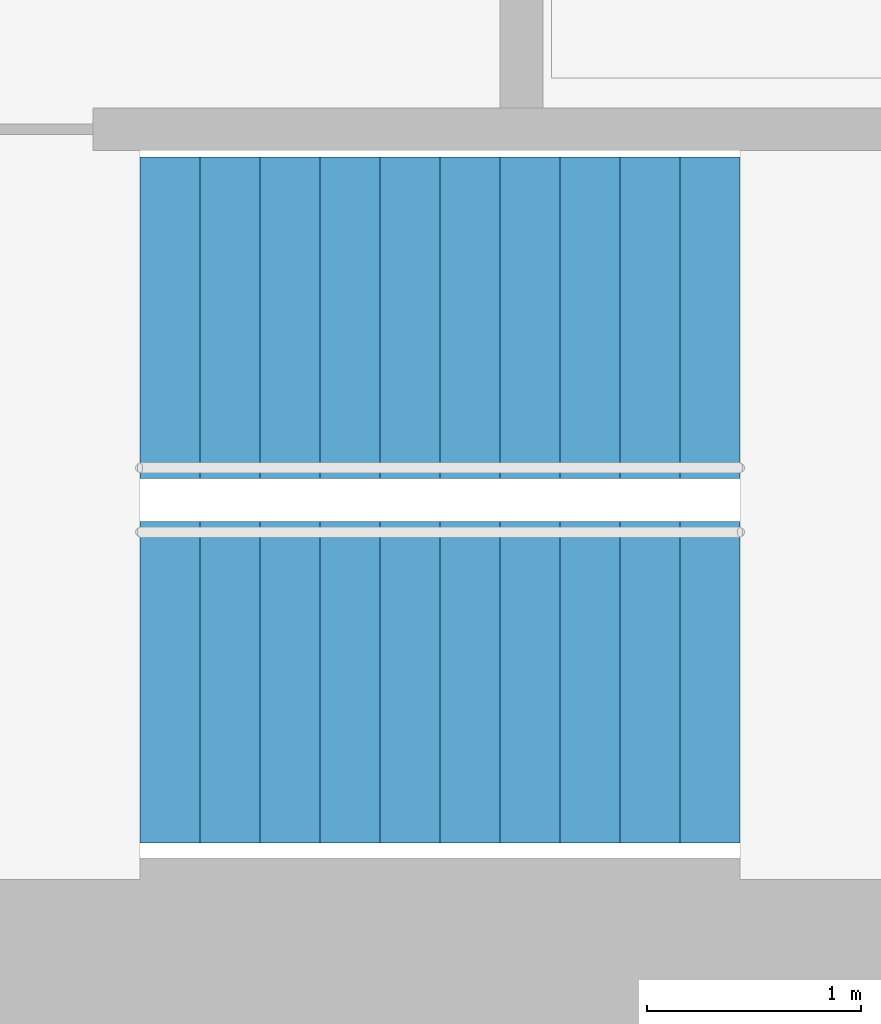
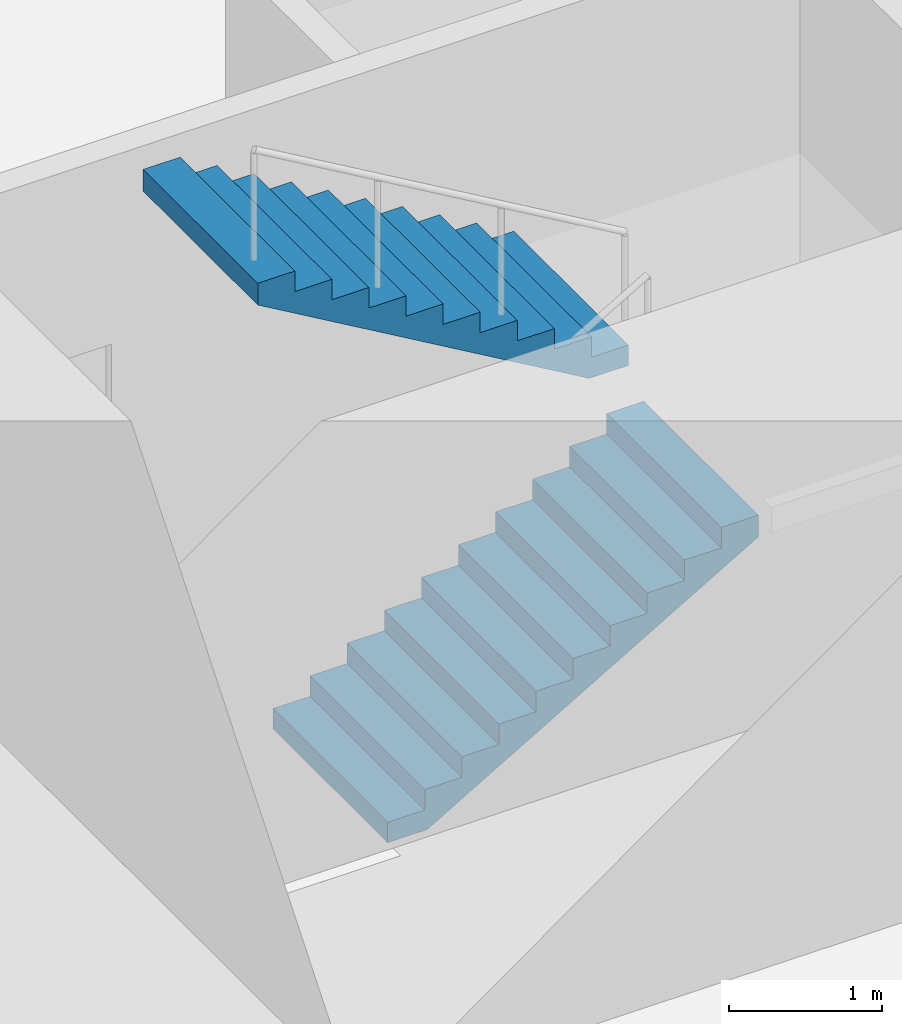
# One storey, part 13 of 15: 2 stair flights, 1 element without a shape of its own.
"""IFC4 building model written with IfcOpenShell, lengths in metres."""

import ifcopenshell
import ifcopenshell.guid

model = None  # the IFC model being written
_history = None  # IfcOwnerHistory: only IFC2X3 demands one
_inside = {}  # id of a spatial element -> (the spatial element, [elements in it])
_under = {}  # id of a project, library or spatial element -> (it, [spatial elements below it])
_declared = {}  # id of a project -> (the project, [libraries it declares])
_typed = {}  # id of a type object -> (the type object, [elements of that type])
_made_of = {}  # id of a material, layer set ... -> (it, [elements and type objects made of it])


def new_model(schema):
    """Start an empty IFC model of exactly this schema.

    Asked for "IFC4X3", IfcOpenShell would pick the latest addendum, in which some entities
    have other attributes; the version numbers below select the first issue.
    IFC2X3 requires an IfcOwnerHistory on every rooted entity: one is made here for all.
    """
    global model, _history
    if schema == "IFC4X3":
        model = ifcopenshell.file(schema_version=(4, 3, 0, 0))
    else:
        model = ifcopenshell.file(schema=schema)
    _inside.clear()
    _under.clear()
    _declared.clear()
    _typed.clear()
    _made_of.clear()
    _history = None
    if model.schema == "IFC2X3":
        org = make("IfcOrganization", Name="unknown")
        user = make(
            "IfcPersonAndOrganization",
            ThePerson=make("IfcPerson", FamilyName="unknown"),
            TheOrganization=org,
        )
        app = make(
            "IfcApplication",
            ApplicationDeveloper=org,
            Version="unknown",
            ApplicationFullName="unknown",
            ApplicationIdentifier="unknown",
        )
        _history = make(
            "IfcOwnerHistory",
            OwningUser=user,
            OwningApplication=app,
            ChangeAction="ADDED",
            CreationDate=0,
        )
    return model


def make(cls, **values):
    """One entity of the class cls with the attributes given. An attribute that is None is left unset."""
    return model.create_entity(
        cls, **{name: value for name, value in values.items() if value is not None}
    )


def rooted(cls, **values):
    """An entity with a GlobalId (a new one), such as an element, a storey or a relation."""
    return make(cls, GlobalId=ifcopenshell.guid.new(), OwnerHistory=_history, **values)


def si_unit(unit_type, name, prefix=None):
    """IfcSIUnit, for example si_unit("LENGTHUNIT", "METRE", prefix="MILLI")."""
    return make("IfcSIUnit", UnitType=unit_type, Prefix=prefix, Name=name)


def assignment(units):
    """IfcUnitAssignment: the units of a project."""
    return None if units is None else make("IfcUnitAssignment", Units=units)


def point(xyz):
    """IfcCartesianPoint."""
    return None if xyz is None else make("IfcCartesianPoint", Coordinates=xyz)


def direction(xyz):
    """IfcDirection."""
    return None if xyz is None else make("IfcDirection", DirectionRatios=xyz)


def frame(location, z_axis=None, x_axis=None):
    """IfcAxis2Placement3D, a coordinate frame: its origin and axes. An axis left out is left unset."""
    return make(
        "IfcAxis2Placement3D",
        Location=point(location),
        Axis=direction(z_axis),
        RefDirection=direction(x_axis),
    )


def origin():
    """The frame at (0, 0, 0) with its axes left unset."""
    return frame((0.0, 0.0, 0.0))


def place(relative_to, where):
    """IfcLocalPlacement: puts the frame where relative to a parent placement (None: the world)."""
    return make(
        "IfcLocalPlacement", PlacementRelTo=relative_to, RelativePlacement=where
    )


def context(
    kind, dimensions, precision=None, world=None, true_north=None, identifier=None
):
    """IfcGeometricRepresentationContext, for example the 3D "Model" context."""
    return make(
        "IfcGeometricRepresentationContext",
        ContextIdentifier=identifier,
        ContextType=kind,
        CoordinateSpaceDimension=dimensions,
        Precision=precision,
        WorldCoordinateSystem=world,
        TrueNorth=true_north,
    )


def subcontext(parent, identifier, kind, view, scale=None):
    """IfcGeometricRepresentationSubContext, for example "Body" below "Model"."""
    return make(
        "IfcGeometricRepresentationSubContext",
        ContextIdentifier=identifier,
        ContextType=kind,
        ParentContext=parent,
        TargetScale=scale,
        TargetView=view,
    )


def project(units=None, contexts=None):
    """IfcProject with its units and contexts."""
    return rooted(
        "IfcProject",
        Name="project",
        RepresentationContexts=contexts,
        UnitsInContext=assignment(units),
    )


def spatial(cls, under=None, at=None, **own):
    """A site, building, storey or space (cls), placed at a placement, below another one or the project."""
    s = rooted(cls, ObjectPlacement=at, **own)
    if under is not None:
        _under.setdefault(under.id(), (under, []))[1].append(s)
    return s


def point_list(points):
    """IfcCartesianPointList2D or 3D."""
    cls = (
        "IfcCartesianPointList2D" if len(points[0]) == 2 else "IfcCartesianPointList3D"
    )
    return make(cls, CoordList=points)


def triangles(points, corners, closed=None, point_numbers=None):
    """IfcTriangulatedFaceSet: each triangle names its three corners, points numbered from 1."""
    return make(
        "IfcTriangulatedFaceSet",
        Coordinates=point_list(points),
        Closed=closed,
        CoordIndex=corners,
        PnIndex=point_numbers,
    )


def shape(context_of_items, identifier, shape_type, items):
    """IfcShapeRepresentation: the items that make up one representation, for example the "Body"."""
    return make(
        "IfcShapeRepresentation",
        ContextOfItems=context_of_items,
        RepresentationIdentifier=identifier,
        RepresentationType=shape_type,
        Items=items,
    )


def material(Name=None, Category=None):
    """IfcMaterial."""
    return make("IfcMaterial", Name=Name, Category=Category)


def made_of(thing, what):
    """Note that an element or type object is made of a material, layer set ...; save() writes the relation."""
    if what is not None:
        _made_of.setdefault(what.id(), (what, []))[1].append(thing)
    return thing


def type_object(cls, material=None, **own):
    """A type object (cls), such as IfcWallType, which elements share."""
    return made_of(rooted(cls, **own), material)


def element(
    cls,
    number,
    at=None,
    inside=None,
    cuts=None,
    type_object=None,
    material=None,
    context=None,
    identifier="Body",
    shape_type=None,
    held_by="IfcProductDefinitionShape",
    body=None,
    shapes=None,
    **own,
):
    """One element of the class cls, such as IfcWall. Its Tag is "e" and its number.

    at: its placement. inside: the storey or other place that contains it. cuts: it is an
    opening in that element (IfcRelVoidsElement). A single representation is given by context,
    identifier, shape_type and body (its items); several are given by shapes. held_by: the class
    of the entity that holds the representations. save() writes the other relations.
    """
    e = rooted(cls, Tag="e%d" % number, ObjectPlacement=at, **own)
    if body is not None:
        shapes = [shape(context, identifier, shape_type, body)]
    if shapes is not None:
        e.Representation = make(held_by, Representations=shapes)
    if inside is not None:
        _inside.setdefault(inside.id(), (inside, []))[1].append(e)
    if cuts is not None:
        rooted(
            "IfcRelVoidsElement", RelatingBuildingElement=cuts, RelatedOpeningElement=e
        )
    if type_object is not None:
        _typed.setdefault(type_object.id(), (type_object, []))[1].append(e)
    return made_of(e, material)


def aggregate(whole, parts):
    """IfcRelAggregates: a whole, such as a stair, and the parts it consists of."""
    return rooted("IfcRelAggregates", RelatingObject=whole, RelatedObjects=parts)


def save(model, path):
    """Write the relations noted so far, then the file.

    IfcRelAggregates (storeys below a building ...), IfcRelContainedInSpatialStructure (elements
    in a storey), IfcRelDefinesByType, IfcRelAssociatesMaterial and IfcRelDeclares: one each for
    every whole, place, type object, material and project.
    """
    for whole, parts in _under.values():
        aggregate(whole, parts)
    for where, things in _inside.values():
        rooted(
            "IfcRelContainedInSpatialStructure",
            RelatedElements=things,
            RelatingStructure=where,
        )
    for kind, things in _typed.values():
        rooted("IfcRelDefinesByType", RelatedObjects=things, RelatingType=kind)
    for what, things in _made_of.values():
        rooted("IfcRelAssociatesMaterial", RelatedObjects=things, RelatingMaterial=what)
    for by, libraries in _declared.values():
        rooted("IfcRelDeclares", RelatingContext=by, RelatedDefinitions=libraries)
    model.write(path)


model = new_model("IFC4")

# Units and contexts
model_context = context("Model", 3, precision=1e-05, world=origin(), true_north=direction((0.0, 1.0)))
body_context = subcontext(model_context, "Body", "Model", "MODEL_VIEW")
ifc_project = project(units=[si_unit("LENGTHUNIT", "METRE"), si_unit("AREAUNIT", "SQUARE_METRE"), si_unit("VOLUMEUNIT", "CUBIC_METRE"), si_unit("PLANEANGLEUNIT", "RADIAN"), si_unit("MASSUNIT", "GRAM", prefix="KILO")], contexts=[model_context])

# Site, building, storey
site_placement = place(None, origin())
site = spatial("IfcSite", under=ifc_project, at=site_placement, CompositionType="ELEMENT")
building_placement = place(site_placement, origin())
building = spatial("IfcBuilding", under=site, at=building_placement, Name="Lantaw Convention Tower", CompositionType="ELEMENT")
storey_placement = place(building_placement, frame((0.0, 0.0, 87.39990234375)))
storey = spatial("IfcBuildingStorey", under=building, at=storey_placement, Name="L20", CompositionType="ELEMENT", Elevation=87.39990234375)

# Stair, stair flights
ifc_material = material(Name="Concrete C35/45", Category="concrete")
stair_type = type_object("IfcStairType", Name="Exit stair 1500 riser 163.64 in 2 flights", PredefinedType="HALF_TURN_STAIR", material=ifc_material)
stair_placement = place(storey_placement, origin())
stair = element("IfcStair", 1, at=stair_placement, inside=storey, type_object=stair_type, Name="Exit stair S1 L20", PredefinedType="HALF_TURN_STAIR")
stair_flight_type = type_object("IfcStairFlightType", Name="Stair flight 1500 riser 163.64", PredefinedType="STRAIGHT", material=ifc_material)
stair_flight_1_placement = place(storey_placement, frame((-10.580078125, -5.97998046875, 0.0), z_axis=(0.0, 0.0, 1.0), x_axis=(1.0, 0.0, 0.0)))
stair_flight_1 = element("IfcStairFlight", 2, at=stair_flight_1_placement, type_object=stair_flight_type, Name="S1 flight 1", NumberOfRisers=11, NumberOfTreads=10, PredefinedType="STRAIGHT", RiserHeight=0.163636364, TreadLength=0.28, context=body_context, shape_type="Tessellation", body=[
    triangles([(0.0, 0.75, 0.0), (0.0, 0.75, 0.163636364), (0.28, 0.75, 0.0), (0.28, 0.75, 0.163636364), (0.28, 0.75, 0.327272728), (0.2970904571225277, 0.75, 0.0), (0.2970904571225277, 0.75, 0.327272728), (0.56, 0.75, 0.1536484344906131), (0.56, 0.75, 0.327272728), (0.56, 0.75, 0.490909092), (0.8400000000000001, 0.75, 0.3172847984906131), (0.8400000000000001, 0.75, 0.490909092), (0.8400000000000001, 0.75, 0.654545456), (1.12, 0.75, 0.4809211624906131), (1.12, 0.75, 0.654545456), (1.12, 0.75, 0.8181818200000001), (1.4000000000000001, 0.75, 0.6445575264906132), (1.4000000000000001, 0.75, 0.8181818200000001), (1.4000000000000001, 0.75, 0.981818184), (1.6800000000000002, 0.75, 0.8081938904906131), (1.6800000000000002, 0.75, 0.981818184), (1.6800000000000002, 0.75, 1.145454548), (1.9600000000000002, 0.75, 0.9718302544906131), (1.9600000000000002, 0.75, 1.145454548), (1.9600000000000002, 0.75, 1.309090912), (2.24, 0.75, 1.135466618490613), (2.24, 0.75, 1.309090912), (2.24, 0.75, 1.472727276), (2.5200000000000005, 0.75, 1.2991029824906133), (2.5200000000000005, 0.75, 1.472727276), (2.5200000000000005, 0.75, 1.6363636400000001), (2.8000000000000003, 0.75, 1.462739346490613), (2.8000000000000003, 0.75, 1.6363636400000001), (0.0, -0.75, 0.0), (0.0, -0.75, 0.163636364), (0.28, -0.75, 0.0), (0.28, -0.75, 0.163636364), (0.28, -0.75, 0.327272728), (0.2970904571225277, -0.75, 0.0), (0.2970904571225277, -0.75, 0.327272728), (0.56, -0.75, 0.1536484344906131), (0.56, -0.75, 0.327272728), (0.56, -0.75, 0.490909092), (0.8400000000000001, -0.75, 0.3172847984906131), (0.8400000000000001, -0.75, 0.490909092), (0.8400000000000001, -0.75, 0.654545456), (1.12, -0.75, 0.4809211624906131), (1.12, -0.75, 0.654545456), (1.12, -0.75, 0.8181818200000001), (1.4000000000000001, -0.75, 0.6445575264906132), (1.4000000000000001, -0.75, 0.8181818200000001), (1.4000000000000001, -0.75, 0.981818184), (1.6800000000000002, -0.75, 0.8081938904906131), (1.6800000000000002, -0.75, 0.981818184), (1.6800000000000002, -0.75, 1.145454548), (1.9600000000000002, -0.75, 0.9718302544906131), (1.9600000000000002, -0.75, 1.145454548), (1.9600000000000002, -0.75, 1.309090912), (2.24, -0.75, 1.135466618490613), (2.24, -0.75, 1.309090912), (2.24, -0.75, 1.472727276), (2.5200000000000005, -0.75, 1.2991029824906133), (2.5200000000000005, -0.75, 1.472727276), (2.5200000000000005, -0.75, 1.6363636400000001), (2.8000000000000003, -0.75, 1.462739346490613), (2.8000000000000003, -0.75, 1.6363636400000001), (0.0, 0.15000000000000002, 0.163636364), (0.0, 0.15000000000000002, 0.0), (0.0, 0.0, 0.163636364), (0.0, 0.0, 0.0), (0.0, -0.15000000000000002, 0.163636364), (0.0, -0.15000000000000002, 0.0), (0.28, 0.15000000000000002, 0.327272728), (0.28, 0.15000000000000002, 0.163636364), (0.28, 0.0, 0.327272728), (0.28, 0.0, 0.163636364), (0.28, -0.15000000000000002, 0.327272728), (0.28, -0.15000000000000002, 0.163636364), (0.56, 0.15000000000000002, 0.490909092), (0.56, 0.15000000000000002, 0.327272728), (0.56, 0.0, 0.490909092), (0.56, 0.0, 0.327272728), (0.56, -0.15000000000000002, 0.490909092), (0.56, -0.15000000000000002, 0.327272728), (0.8400000000000001, 0.15000000000000002, 0.654545456), (0.8400000000000001, 0.15000000000000002, 0.490909092), (0.8400000000000001, 0.0, 0.654545456), (0.8400000000000001, 0.0, 0.490909092), (0.8400000000000001, -0.15000000000000002, 0.654545456), (0.8400000000000001, -0.15000000000000002, 0.490909092), (1.12, 0.15000000000000002, 0.8181818200000001), (1.12, 0.15000000000000002, 0.654545456), (1.12, 0.0, 0.8181818200000001), (1.12, 0.0, 0.654545456), (1.12, -0.15000000000000002, 0.8181818200000001), (1.12, -0.15000000000000002, 0.654545456), (1.4000000000000001, 0.15000000000000002, 0.981818184), (1.4000000000000001, 0.15000000000000002, 0.8181818200000001), (1.4000000000000001, 0.0, 0.981818184), (1.4000000000000001, 0.0, 0.8181818200000001), (1.4000000000000001, -0.15000000000000002, 0.981818184), (1.4000000000000001, -0.15000000000000002, 0.8181818200000001), (1.6800000000000002, 0.15000000000000002, 1.145454548), (1.6800000000000002, 0.15000000000000002, 0.981818184), (1.6800000000000002, 0.0, 1.145454548), (1.6800000000000002, 0.0, 0.981818184), (1.6800000000000002, -0.15000000000000002, 1.145454548), (1.6800000000000002, -0.15000000000000002, 0.981818184), (1.9600000000000002, 0.15000000000000002, 1.309090912), (1.9600000000000002, 0.15000000000000002, 1.145454548), (1.9600000000000002, 0.0, 1.309090912), (1.9600000000000002, 0.0, 1.145454548), (1.9600000000000002, -0.15000000000000002, 1.309090912), (1.9600000000000002, -0.15000000000000002, 1.145454548), (2.24, 0.15000000000000002, 1.472727276), (2.24, 0.15000000000000002, 1.309090912), (2.24, 0.0, 1.472727276), (2.24, 0.0, 1.309090912), (2.24, -0.15000000000000002, 1.472727276), (2.24, -0.15000000000000002, 1.309090912), (2.5200000000000005, 0.15000000000000002, 1.6363636400000001), (2.5200000000000005, 0.15000000000000002, 1.472727276), (2.5200000000000005, 0.0, 1.6363636400000001), (2.5200000000000005, 0.0, 1.472727276), (2.5200000000000005, -0.15000000000000002, 1.6363636400000001), (2.5200000000000005, -0.15000000000000002, 1.472727276), (0.2970904571225277, 0.15000000000000002, 0.327272728), (0.2970904571225277, 0.0, 0.327272728), (0.2970904571225277, -0.15000000000000002, 0.327272728), (2.8000000000000003, 0.15000000000000002, 1.6363636400000001), (2.8000000000000003, 0.0, 1.6363636400000001), (2.8000000000000003, -0.15000000000000002, 1.6363636400000001), (2.8000000000000003, 0.15000000000000002, 1.462739346490613), (2.8000000000000003, 0.0, 1.462739346490613), (2.8000000000000003, -0.15000000000000002, 1.462739346490613), (2.5200000000000005, 0.15000000000000002, 1.2991029824906133), (2.5200000000000005, 0.0, 1.2991029824906133), (2.5200000000000005, -0.15000000000000002, 1.2991029824906133), (2.24, 0.15000000000000002, 1.135466618490613), (2.24, 0.0, 1.135466618490613), (2.24, -0.15000000000000002, 1.135466618490613), (1.9600000000000002, 0.15000000000000002, 0.9718302544906131), (1.9600000000000002, 0.0, 0.9718302544906131), (1.9600000000000002, -0.15000000000000002, 0.9718302544906131), (1.6800000000000002, 0.15000000000000002, 0.8081938904906131), (1.6800000000000002, 0.0, 0.8081938904906131), (1.6800000000000002, -0.15000000000000002, 0.8081938904906131), (1.4000000000000001, 0.15000000000000002, 0.6445575264906132), (1.4000000000000001, 0.0, 0.6445575264906132), (1.4000000000000001, -0.15000000000000002, 0.6445575264906132), (1.12, 0.15000000000000002, 0.4809211624906131), (1.12, 0.0, 0.4809211624906131), (1.12, -0.15000000000000002, 0.4809211624906131), (0.8400000000000001, 0.15000000000000002, 0.3172847984906131), (0.8400000000000001, 0.0, 0.3172847984906131), (0.8400000000000001, -0.15000000000000002, 0.3172847984906131), (0.56, 0.15000000000000002, 0.1536484344906131), (0.56, 0.0, 0.1536484344906131), (0.56, -0.15000000000000002, 0.1536484344906131), (0.2970904571225277, 0.15000000000000002, 0.0), (0.2970904571225277, 0.0, 0.0), (0.2970904571225277, -0.15000000000000002, 0.0), (0.28, 0.15000000000000002, 0.0), (0.28, 0.0, 0.0), (0.28, -0.15000000000000002, 0.0)], [[1, 4, 3], [1, 2, 4], [3, 4, 6], [4, 7, 6], [4, 5, 7], [6, 9, 8], [6, 7, 9], [8, 9, 11], [9, 12, 11], [9, 10, 12], [11, 12, 14], [12, 15, 14], [12, 13, 15], [14, 15, 17], [15, 18, 17], [15, 16, 18], [17, 18, 20], [18, 21, 20], [18, 19, 21], [20, 21, 23], [21, 24, 23], [21, 22, 24], [23, 24, 26], [24, 27, 26], [24, 25, 27], [26, 27, 29], [27, 30, 29], [27, 28, 30], [29, 30, 32], [30, 33, 32], [30, 31, 33], [34, 36, 37], [34, 37, 35], [36, 39, 37], [37, 39, 40], [37, 40, 38], [39, 41, 42], [39, 42, 40], [41, 44, 42], [42, 44, 45], [42, 45, 43], [44, 47, 45], [45, 47, 48], [45, 48, 46], [47, 50, 48], [48, 50, 51], [48, 51, 49], [50, 53, 51], [51, 53, 54], [51, 54, 52], [53, 56, 54], [54, 56, 57], [54, 57, 55], [56, 59, 57], [57, 59, 60], [57, 60, 58], [59, 62, 60], [60, 62, 63], [60, 63, 61], [62, 65, 63], [63, 65, 66], [63, 66, 64], [1, 67, 2], [1, 68, 67], [68, 69, 67], [68, 70, 69], [70, 71, 69], [70, 72, 71], [72, 35, 71], [72, 34, 35], [4, 73, 5], [4, 74, 73], [74, 75, 73], [74, 76, 75], [76, 77, 75], [76, 78, 77], [78, 38, 77], [78, 37, 38], [9, 79, 10], [9, 80, 79], [80, 81, 79], [80, 82, 81], [82, 83, 81], [82, 84, 83], [84, 43, 83], [84, 42, 43], [12, 85, 13], [12, 86, 85], [86, 87, 85], [86, 88, 87], [88, 89, 87], [88, 90, 89], [90, 46, 89], [90, 45, 46], [15, 91, 16], [15, 92, 91], [92, 93, 91], [92, 94, 93], [94, 95, 93], [94, 96, 95], [96, 49, 95], [96, 48, 49], [18, 97, 19], [18, 98, 97], [98, 99, 97], [98, 100, 99], [100, 101, 99], [100, 102, 101], [102, 52, 101], [102, 51, 52], [21, 103, 22], [21, 104, 103], [104, 105, 103], [104, 106, 105], [106, 107, 105], [106, 108, 107], [108, 55, 107], [108, 54, 55], [24, 109, 25], [24, 110, 109], [110, 111, 109], [110, 112, 111], [112, 113, 111], [112, 114, 113], [114, 58, 113], [114, 57, 58], [27, 115, 28], [27, 116, 115], [116, 117, 115], [116, 118, 117], [118, 119, 117], [118, 120, 119], [120, 61, 119], [120, 60, 61], [30, 121, 31], [30, 122, 121], [122, 123, 121], [122, 124, 123], [124, 125, 123], [124, 126, 125], [126, 64, 125], [126, 63, 64], [2, 74, 4], [2, 67, 74], [67, 76, 74], [67, 69, 76], [69, 78, 76], [69, 71, 78], [71, 37, 78], [71, 35, 37], [5, 127, 7], [5, 73, 127], [73, 128, 127], [73, 75, 128], [75, 129, 128], [75, 77, 129], [77, 40, 129], [77, 38, 40], [7, 80, 9], [7, 127, 80], [127, 82, 80], [127, 128, 82], [128, 84, 82], [128, 129, 84], [129, 42, 84], [129, 40, 42], [10, 86, 12], [10, 79, 86], [79, 88, 86], [79, 81, 88], [81, 90, 88], [81, 83, 90], [83, 45, 90], [83, 43, 45], [13, 92, 15], [13, 85, 92], [85, 94, 92], [85, 87, 94], [87, 96, 94], [87, 89, 96], [89, 48, 96], [89, 46, 48], [16, 98, 18], [16, 91, 98], [91, 100, 98], [91, 93, 100], [93, 102, 100], [93, 95, 102], [95, 51, 102], [95, 49, 51], [19, 104, 21], [19, 97, 104], [97, 106, 104], [97, 99, 106], [99, 108, 106], [99, 101, 108], [101, 54, 108], [101, 52, 54], [22, 110, 24], [22, 103, 110], [103, 112, 110], [103, 105, 112], [105, 114, 112], [105, 107, 114], [107, 57, 114], [107, 55, 57], [25, 116, 27], [25, 109, 116], [109, 118, 116], [109, 111, 118], [111, 120, 118], [111, 113, 120], [113, 60, 120], [113, 58, 60], [28, 122, 30], [28, 115, 122], [115, 124, 122], [115, 117, 124], [117, 126, 124], [117, 119, 126], [119, 63, 126], [119, 61, 63], [31, 130, 33], [31, 121, 130], [121, 131, 130], [121, 123, 131], [123, 132, 131], [123, 125, 132], [125, 66, 132], [125, 64, 66], [33, 133, 32], [33, 130, 133], [130, 134, 133], [130, 131, 134], [131, 135, 134], [131, 132, 135], [132, 65, 135], [132, 66, 65], [32, 136, 29], [32, 133, 136], [133, 137, 136], [133, 134, 137], [134, 138, 137], [134, 135, 138], [135, 62, 138], [135, 65, 62], [29, 139, 26], [29, 136, 139], [136, 140, 139], [136, 137, 140], [137, 141, 140], [137, 138, 141], [138, 59, 141], [138, 62, 59], [26, 142, 23], [26, 139, 142], [139, 143, 142], [139, 140, 143], [140, 144, 143], [140, 141, 144], [141, 56, 144], [141, 59, 56], [23, 145, 20], [23, 142, 145], [142, 146, 145], [142, 143, 146], [143, 147, 146], [143, 144, 147], [144, 53, 147], [144, 56, 53], [20, 148, 17], [20, 145, 148], [145, 149, 148], [145, 146, 149], [146, 150, 149], [146, 147, 150], [147, 50, 150], [147, 53, 50], [17, 151, 14], [17, 148, 151], [148, 152, 151], [148, 149, 152], [149, 153, 152], [149, 150, 153], [150, 47, 153], [150, 50, 47], [14, 154, 11], [14, 151, 154], [151, 155, 154], [151, 152, 155], [152, 156, 155], [152, 153, 156], [153, 44, 156], [153, 47, 44], [11, 157, 8], [11, 154, 157], [154, 158, 157], [154, 155, 158], [155, 159, 158], [155, 156, 159], [156, 41, 159], [156, 44, 41], [8, 160, 6], [8, 157, 160], [157, 161, 160], [157, 158, 161], [158, 162, 161], [158, 159, 162], [159, 39, 162], [159, 41, 39], [6, 163, 3], [6, 160, 163], [160, 164, 163], [160, 161, 164], [161, 165, 164], [161, 162, 165], [162, 36, 165], [162, 39, 36], [3, 68, 1], [3, 163, 68], [163, 70, 68], [163, 164, 70], [164, 72, 70], [164, 165, 72], [165, 34, 72], [165, 36, 34]], closed=True),
])
stair_flight_2_placement = place(storey_placement, frame((-7.780029296875, -4.280029296875, 1.800048828125), z_axis=(0.0, 0.0, 1.0), x_axis=(-1.0, 0.0, 0.0)))
stair_flight_2 = element("IfcStairFlight", 3, at=stair_flight_2_placement, type_object=stair_flight_type, Name="S1 flight 2", NumberOfRisers=11, NumberOfTreads=10, PredefinedType="STRAIGHT", RiserHeight=0.163636364, TreadLength=0.28, context=body_context, shape_type="Tessellation", body=[
    triangles([(0.0, 0.75, 0.0), (0.0, 0.75, 0.163636364), (0.28, 0.75, 0.0), (0.28, 0.75, 0.163636364), (0.28, 0.75, 0.327272728), (0.2970904571225277, 0.75, 0.0), (0.2970904571225277, 0.75, 0.327272728), (0.56, 0.75, 0.1536484344906131), (0.56, 0.75, 0.327272728), (0.56, 0.75, 0.490909092), (0.8400000000000001, 0.75, 0.3172847984906131), (0.8400000000000001, 0.75, 0.490909092), (0.8400000000000001, 0.75, 0.654545456), (1.12, 0.75, 0.4809211624906131), (1.12, 0.75, 0.654545456), (1.12, 0.75, 0.8181818200000001), (1.4000000000000001, 0.75, 0.6445575264906132), (1.4000000000000001, 0.75, 0.8181818200000001), (1.4000000000000001, 0.75, 0.981818184), (1.6800000000000002, 0.75, 0.8081938904906131), (1.6800000000000002, 0.75, 0.981818184), (1.6800000000000002, 0.75, 1.145454548), (1.9600000000000002, 0.75, 0.9718302544906131), (1.9600000000000002, 0.75, 1.145454548), (1.9600000000000002, 0.75, 1.309090912), (2.24, 0.75, 1.135466618490613), (2.24, 0.75, 1.309090912), (2.24, 0.75, 1.472727276), (2.5200000000000005, 0.75, 1.2991029824906133), (2.5200000000000005, 0.75, 1.472727276), (2.5200000000000005, 0.75, 1.6363636400000001), (2.8000000000000003, 0.75, 1.462739346490613), (2.8000000000000003, 0.75, 1.6363636400000001), (0.0, -0.75, 0.0), (0.0, -0.75, 0.163636364), (0.28, -0.75, 0.0), (0.28, -0.75, 0.163636364), (0.28, -0.75, 0.327272728), (0.2970904571225277, -0.75, 0.0), (0.2970904571225277, -0.75, 0.327272728), (0.56, -0.75, 0.1536484344906131), (0.56, -0.75, 0.327272728), (0.56, -0.75, 0.490909092), (0.8400000000000001, -0.75, 0.3172847984906131), (0.8400000000000001, -0.75, 0.490909092), (0.8400000000000001, -0.75, 0.654545456), (1.12, -0.75, 0.4809211624906131), (1.12, -0.75, 0.654545456), (1.12, -0.75, 0.8181818200000001), (1.4000000000000001, -0.75, 0.6445575264906132), (1.4000000000000001, -0.75, 0.8181818200000001), (1.4000000000000001, -0.75, 0.981818184), (1.6800000000000002, -0.75, 0.8081938904906131), (1.6800000000000002, -0.75, 0.981818184), (1.6800000000000002, -0.75, 1.145454548), (1.9600000000000002, -0.75, 0.9718302544906131), (1.9600000000000002, -0.75, 1.145454548), (1.9600000000000002, -0.75, 1.309090912), (2.24, -0.75, 1.135466618490613), (2.24, -0.75, 1.309090912), (2.24, -0.75, 1.472727276), (2.5200000000000005, -0.75, 1.2991029824906133), (2.5200000000000005, -0.75, 1.472727276), (2.5200000000000005, -0.75, 1.6363636400000001), (2.8000000000000003, -0.75, 1.462739346490613), (2.8000000000000003, -0.75, 1.6363636400000001), (0.0, 0.15000000000000002, 0.163636364), (0.0, 0.15000000000000002, 0.0), (0.0, 0.0, 0.163636364), (0.0, 0.0, 0.0), (0.0, -0.15000000000000002, 0.163636364), (0.0, -0.15000000000000002, 0.0), (0.28, 0.15000000000000002, 0.327272728), (0.28, 0.15000000000000002, 0.163636364), (0.28, 0.0, 0.327272728), (0.28, 0.0, 0.163636364), (0.28, -0.15000000000000002, 0.327272728), (0.28, -0.15000000000000002, 0.163636364), (0.56, 0.15000000000000002, 0.490909092), (0.56, 0.15000000000000002, 0.327272728), (0.56, 0.0, 0.490909092), (0.56, 0.0, 0.327272728), (0.56, -0.15000000000000002, 0.490909092), (0.56, -0.15000000000000002, 0.327272728), (0.8400000000000001, 0.15000000000000002, 0.654545456), (0.8400000000000001, 0.15000000000000002, 0.490909092), (0.8400000000000001, 0.0, 0.654545456), (0.8400000000000001, 0.0, 0.490909092), (0.8400000000000001, -0.15000000000000002, 0.654545456), (0.8400000000000001, -0.15000000000000002, 0.490909092), (1.12, 0.15000000000000002, 0.8181818200000001), (1.12, 0.15000000000000002, 0.654545456), (1.12, 0.0, 0.8181818200000001), (1.12, 0.0, 0.654545456), (1.12, -0.15000000000000002, 0.8181818200000001), (1.12, -0.15000000000000002, 0.654545456), (1.4000000000000001, 0.15000000000000002, 0.981818184), (1.4000000000000001, 0.15000000000000002, 0.8181818200000001), (1.4000000000000001, 0.0, 0.981818184), (1.4000000000000001, 0.0, 0.8181818200000001), (1.4000000000000001, -0.15000000000000002, 0.981818184), (1.4000000000000001, -0.15000000000000002, 0.8181818200000001), (1.6800000000000002, 0.15000000000000002, 1.145454548), (1.6800000000000002, 0.15000000000000002, 0.981818184), (1.6800000000000002, 0.0, 1.145454548), (1.6800000000000002, 0.0, 0.981818184), (1.6800000000000002, -0.15000000000000002, 1.145454548), (1.6800000000000002, -0.15000000000000002, 0.981818184), (1.9600000000000002, 0.15000000000000002, 1.309090912), (1.9600000000000002, 0.15000000000000002, 1.145454548), (1.9600000000000002, 0.0, 1.309090912), (1.9600000000000002, 0.0, 1.145454548), (1.9600000000000002, -0.15000000000000002, 1.309090912), (1.9600000000000002, -0.15000000000000002, 1.145454548), (2.24, 0.15000000000000002, 1.472727276), (2.24, 0.15000000000000002, 1.309090912), (2.24, 0.0, 1.472727276), (2.24, 0.0, 1.309090912), (2.24, -0.15000000000000002, 1.472727276), (2.24, -0.15000000000000002, 1.309090912), (2.5200000000000005, 0.15000000000000002, 1.6363636400000001), (2.5200000000000005, 0.15000000000000002, 1.472727276), (2.5200000000000005, 0.0, 1.6363636400000001), (2.5200000000000005, 0.0, 1.472727276), (2.5200000000000005, -0.15000000000000002, 1.6363636400000001), (2.5200000000000005, -0.15000000000000002, 1.472727276), (0.2970904571225277, 0.15000000000000002, 0.327272728), (0.2970904571225277, 0.0, 0.327272728), (0.2970904571225277, -0.15000000000000002, 0.327272728), (2.8000000000000003, 0.15000000000000002, 1.6363636400000001), (2.8000000000000003, 0.0, 1.6363636400000001), (2.8000000000000003, -0.15000000000000002, 1.6363636400000001), (2.8000000000000003, 0.15000000000000002, 1.462739346490613), (2.8000000000000003, 0.0, 1.462739346490613), (2.8000000000000003, -0.15000000000000002, 1.462739346490613), (2.5200000000000005, 0.15000000000000002, 1.2991029824906133), (2.5200000000000005, 0.0, 1.2991029824906133), (2.5200000000000005, -0.15000000000000002, 1.2991029824906133), (2.24, 0.15000000000000002, 1.135466618490613), (2.24, 0.0, 1.135466618490613), (2.24, -0.15000000000000002, 1.135466618490613), (1.9600000000000002, 0.15000000000000002, 0.9718302544906131), (1.9600000000000002, 0.0, 0.9718302544906131), (1.9600000000000002, -0.15000000000000002, 0.9718302544906131), (1.6800000000000002, 0.15000000000000002, 0.8081938904906131), (1.6800000000000002, 0.0, 0.8081938904906131), (1.6800000000000002, -0.15000000000000002, 0.8081938904906131), (1.4000000000000001, 0.15000000000000002, 0.6445575264906132), (1.4000000000000001, 0.0, 0.6445575264906132), (1.4000000000000001, -0.15000000000000002, 0.6445575264906132), (1.12, 0.15000000000000002, 0.4809211624906131), (1.12, 0.0, 0.4809211624906131), (1.12, -0.15000000000000002, 0.4809211624906131), (0.8400000000000001, 0.15000000000000002, 0.3172847984906131), (0.8400000000000001, 0.0, 0.3172847984906131), (0.8400000000000001, -0.15000000000000002, 0.3172847984906131), (0.56, 0.15000000000000002, 0.1536484344906131), (0.56, 0.0, 0.1536484344906131), (0.56, -0.15000000000000002, 0.1536484344906131), (0.2970904571225277, 0.15000000000000002, 0.0), (0.2970904571225277, 0.0, 0.0), (0.2970904571225277, -0.15000000000000002, 0.0), (0.28, 0.15000000000000002, 0.0), (0.28, 0.0, 0.0), (0.28, -0.15000000000000002, 0.0)], [[1, 4, 3], [1, 2, 4], [3, 4, 6], [4, 7, 6], [4, 5, 7], [6, 9, 8], [6, 7, 9], [8, 9, 11], [9, 12, 11], [9, 10, 12], [11, 12, 14], [12, 15, 14], [12, 13, 15], [14, 15, 17], [15, 18, 17], [15, 16, 18], [17, 18, 20], [18, 21, 20], [18, 19, 21], [20, 21, 23], [21, 24, 23], [21, 22, 24], [23, 24, 26], [24, 27, 26], [24, 25, 27], [26, 27, 29], [27, 30, 29], [27, 28, 30], [29, 30, 32], [30, 33, 32], [30, 31, 33], [34, 36, 37], [34, 37, 35], [36, 39, 37], [37, 39, 40], [37, 40, 38], [39, 41, 42], [39, 42, 40], [41, 44, 42], [42, 44, 45], [42, 45, 43], [44, 47, 45], [45, 47, 48], [45, 48, 46], [47, 50, 48], [48, 50, 51], [48, 51, 49], [50, 53, 51], [51, 53, 54], [51, 54, 52], [53, 56, 54], [54, 56, 57], [54, 57, 55], [56, 59, 57], [57, 59, 60], [57, 60, 58], [59, 62, 60], [60, 62, 63], [60, 63, 61], [62, 65, 63], [63, 65, 66], [63, 66, 64], [1, 67, 2], [1, 68, 67], [68, 69, 67], [68, 70, 69], [70, 71, 69], [70, 72, 71], [72, 35, 71], [72, 34, 35], [4, 73, 5], [4, 74, 73], [74, 75, 73], [74, 76, 75], [76, 77, 75], [76, 78, 77], [78, 38, 77], [78, 37, 38], [9, 79, 10], [9, 80, 79], [80, 81, 79], [80, 82, 81], [82, 83, 81], [82, 84, 83], [84, 43, 83], [84, 42, 43], [12, 85, 13], [12, 86, 85], [86, 87, 85], [86, 88, 87], [88, 89, 87], [88, 90, 89], [90, 46, 89], [90, 45, 46], [15, 91, 16], [15, 92, 91], [92, 93, 91], [92, 94, 93], [94, 95, 93], [94, 96, 95], [96, 49, 95], [96, 48, 49], [18, 97, 19], [18, 98, 97], [98, 99, 97], [98, 100, 99], [100, 101, 99], [100, 102, 101], [102, 52, 101], [102, 51, 52], [21, 103, 22], [21, 104, 103], [104, 105, 103], [104, 106, 105], [106, 107, 105], [106, 108, 107], [108, 55, 107], [108, 54, 55], [24, 109, 25], [24, 110, 109], [110, 111, 109], [110, 112, 111], [112, 113, 111], [112, 114, 113], [114, 58, 113], [114, 57, 58], [27, 115, 28], [27, 116, 115], [116, 117, 115], [116, 118, 117], [118, 119, 117], [118, 120, 119], [120, 61, 119], [120, 60, 61], [30, 121, 31], [30, 122, 121], [122, 123, 121], [122, 124, 123], [124, 125, 123], [124, 126, 125], [126, 64, 125], [126, 63, 64], [2, 74, 4], [2, 67, 74], [67, 76, 74], [67, 69, 76], [69, 78, 76], [69, 71, 78], [71, 37, 78], [71, 35, 37], [5, 127, 7], [5, 73, 127], [73, 128, 127], [73, 75, 128], [75, 129, 128], [75, 77, 129], [77, 40, 129], [77, 38, 40], [7, 80, 9], [7, 127, 80], [127, 82, 80], [127, 128, 82], [128, 84, 82], [128, 129, 84], [129, 42, 84], [129, 40, 42], [10, 86, 12], [10, 79, 86], [79, 88, 86], [79, 81, 88], [81, 90, 88], [81, 83, 90], [83, 45, 90], [83, 43, 45], [13, 92, 15], [13, 85, 92], [85, 94, 92], [85, 87, 94], [87, 96, 94], [87, 89, 96], [89, 48, 96], [89, 46, 48], [16, 98, 18], [16, 91, 98], [91, 100, 98], [91, 93, 100], [93, 102, 100], [93, 95, 102], [95, 51, 102], [95, 49, 51], [19, 104, 21], [19, 97, 104], [97, 106, 104], [97, 99, 106], [99, 108, 106], [99, 101, 108], [101, 54, 108], [101, 52, 54], [22, 110, 24], [22, 103, 110], [103, 112, 110], [103, 105, 112], [105, 114, 112], [105, 107, 114], [107, 57, 114], [107, 55, 57], [25, 116, 27], [25, 109, 116], [109, 118, 116], [109, 111, 118], [111, 120, 118], [111, 113, 120], [113, 60, 120], [113, 58, 60], [28, 122, 30], [28, 115, 122], [115, 124, 122], [115, 117, 124], [117, 126, 124], [117, 119, 126], [119, 63, 126], [119, 61, 63], [31, 130, 33], [31, 121, 130], [121, 131, 130], [121, 123, 131], [123, 132, 131], [123, 125, 132], [125, 66, 132], [125, 64, 66], [33, 133, 32], [33, 130, 133], [130, 134, 133], [130, 131, 134], [131, 135, 134], [131, 132, 135], [132, 65, 135], [132, 66, 65], [32, 136, 29], [32, 133, 136], [133, 137, 136], [133, 134, 137], [134, 138, 137], [134, 135, 138], [135, 62, 138], [135, 65, 62], [29, 139, 26], [29, 136, 139], [136, 140, 139], [136, 137, 140], [137, 141, 140], [137, 138, 141], [138, 59, 141], [138, 62, 59], [26, 142, 23], [26, 139, 142], [139, 143, 142], [139, 140, 143], [140, 144, 143], [140, 141, 144], [141, 56, 144], [141, 59, 56], [23, 145, 20], [23, 142, 145], [142, 146, 145], [142, 143, 146], [143, 147, 146], [143, 144, 147], [144, 53, 147], [144, 56, 53], [20, 148, 17], [20, 145, 148], [145, 149, 148], [145, 146, 149], [146, 150, 149], [146, 147, 150], [147, 50, 150], [147, 53, 50], [17, 151, 14], [17, 148, 151], [148, 152, 151], [148, 149, 152], [149, 153, 152], [149, 150, 153], [150, 47, 153], [150, 50, 47], [14, 154, 11], [14, 151, 154], [151, 155, 154], [151, 152, 155], [152, 156, 155], [152, 153, 156], [153, 44, 156], [153, 47, 44], [11, 157, 8], [11, 154, 157], [154, 158, 157], [154, 155, 158], [155, 159, 158], [155, 156, 159], [156, 41, 159], [156, 44, 41], [8, 160, 6], [8, 157, 160], [157, 161, 160], [157, 158, 161], [158, 162, 161], [158, 159, 162], [159, 39, 162], [159, 41, 39], [6, 163, 3], [6, 160, 163], [160, 164, 163], [160, 161, 164], [161, 165, 164], [161, 162, 165], [162, 36, 165], [162, 39, 36], [3, 68, 1], [3, 163, 68], [163, 70, 68], [163, 164, 70], [164, 72, 70], [164, 165, 72], [165, 34, 72], [165, 36, 34]], closed=True),
])
aggregate(stair, [stair_flight_1, stair_flight_2])

save(model, "model.ifc")
